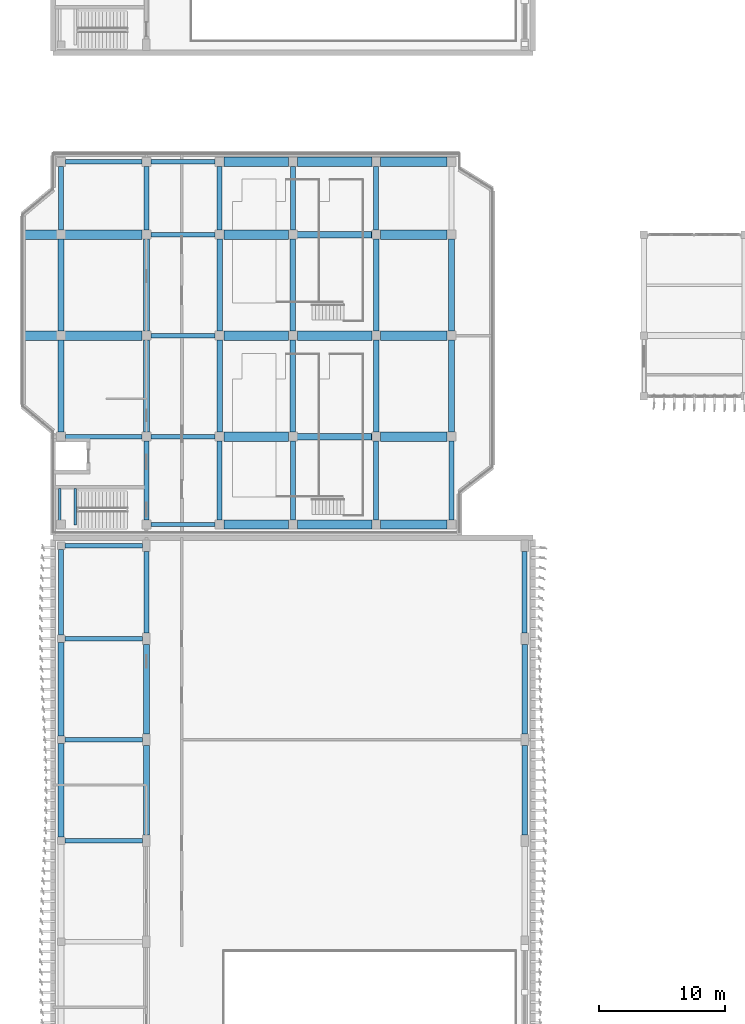
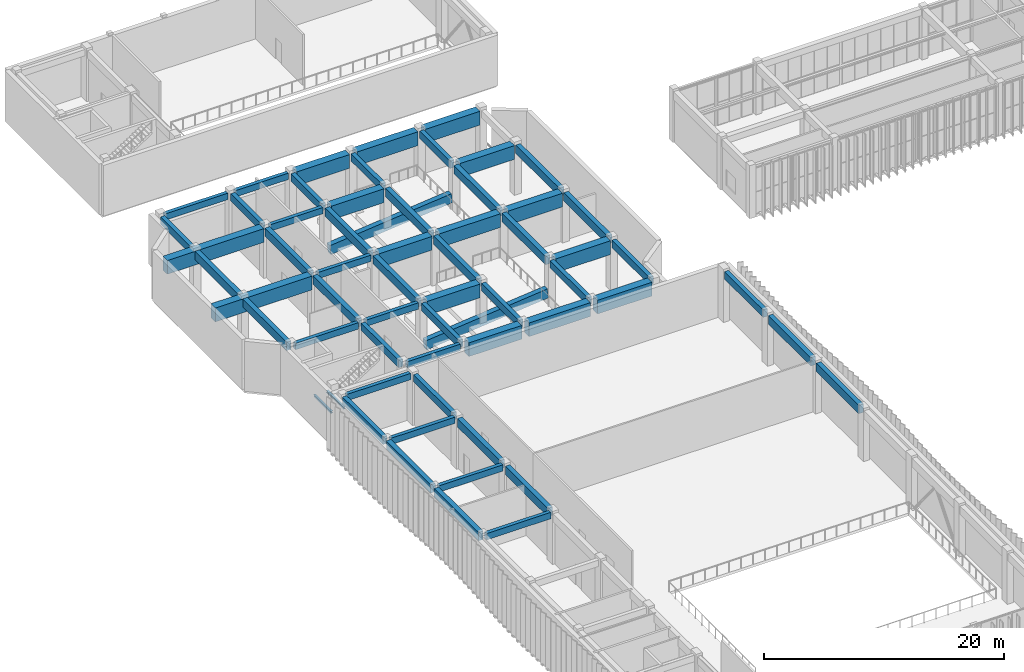
# One storey, part 8 of 64: 61 beams.
"""IFC4 building model written with IfcOpenShell, lengths in metres."""

from ifc_helpers import new_model, si_unit, direction, frame, origin, origin_2d, place, context, subcontext, project, spatial, rectangle, i_section, extrude, material, material_profile, profile_set, type_object, element, save


model = new_model("IFC4")

# Units and contexts
model_context = context("Model", 3, precision=1e-05, world=origin(), true_north=direction((0.0, 1.0)))
body_context = subcontext(model_context, "Body", "Model", "MODEL_VIEW")
ifc_project = project(units=[si_unit("LENGTHUNIT", "METRE"), si_unit("AREAUNIT", "SQUARE_METRE"), si_unit("VOLUMEUNIT", "CUBIC_METRE"), si_unit("PLANEANGLEUNIT", "RADIAN"), si_unit("MASSUNIT", "GRAM", prefix="KILO")], contexts=[model_context])

# Site, building, storey
site_placement = place(None, origin())
site = spatial("IfcSite", under=ifc_project, at=site_placement, CompositionType="ELEMENT")
building_placement = place(site_placement, origin())
building = spatial("IfcBuilding", under=site, at=building_placement, Name="Cinchona Park Media Centre", CompositionType="ELEMENT")
storey_placement = place(building_placement, frame((0.0, 0.0, 10.199951171875)))
storey = spatial("IfcBuildingStorey", under=building, at=storey_placement, Name="L02", CompositionType="ELEMENT", Elevation=10.199951171875)

# Beams
ifc_material_1 = material(Name="Concrete C35/45", Category="concrete")
ifc_material_profile_1 = material_profile(ifc_material_1, rectangle(XDim=0.39990234375, YDim=0.75, at=origin_2d()), Name="RB 400X750")
ifc_profile_set_1 = profile_set([ifc_material_profile_1], Name="Concrete C35/45")
beam_type_1 = type_object("IfcBeamType", Name="BEAM-B01-RB400X750", PredefinedType="BEAM", material=ifc_profile_set_1)
beam_1_placement = place(storey_placement, frame((8.639892578125, 55.89990234375, 4.78515625), z_axis=(0.0, 1.0, 0.0), x_axis=(-1.0, 0.0, 0.0)))
element("IfcBeam", 1, at=beam_1_placement, inside=storey, type_object=beam_type_1, Name="Girder B01 L02", PredefinedType="BEAM", context=body_context, shape_type="SweptSolid", body=[
    extrude(rectangle(XDim=0.39990234375, YDim=0.75, at=origin_2d()), origin(), (0.0, 0.0, 1.0), 6.760009765625),
])
for number, where, z_axis, x_axis, name in (
    (2, (15.39990234375, 56.050048828125, 4.78515625), (0.0, 1.0, 0.0), (-1.0, 0.0, 0.0), "Girder B01 L02"),
    (3, (45.360107421875, 56.050048828125, 4.78515625), (0.0, 1.0, 0.0), (-1.0, 0.0, 0.0), "Girder B01 L02"),
):
    element("IfcBeam", number, at=place(storey_placement, frame(where, z_axis=z_axis, x_axis=x_axis)), inside=storey, type_object=beam_type_1, Name=name, PredefinedType="BEAM", context=body_context, shape_type="SweptSolid", body=[
        extrude(rectangle(XDim=0.39990234375, YDim=0.75, at=origin_2d()), origin(), (0.0, 0.0, 1.0), 6.4599609375),
    ])
beam_2_placement = place(storey_placement, frame((8.639892578125, 87.949951171875, 4.72509765625), z_axis=(0.0, 1.0, 0.0), x_axis=(-1.0, 0.0, 0.0)))
element("IfcBeam", 4, at=beam_2_placement, inside=storey, type_object=beam_type_1, Name="Girder B01 L02", PredefinedType="BEAM", context=body_context, shape_type="SweptSolid", body=[
    extrude(rectangle(XDim=0.39990234375, YDim=0.75, at=origin_2d()), origin(), (0.0, 0.0, 1.0), 5.06005859375),
])
beam_3_placement = place(storey_placement, frame((15.39990234375, 64.989990234375, 4.72509765625), z_axis=(0.0, 1.0, 0.0), x_axis=(-1.0, 0.0, 0.0)))
element("IfcBeam", 5, at=beam_3_placement, inside=storey, type_object=beam_type_1, Name="Girder B01 L02", PredefinedType="BEAM", context=body_context, shape_type="SweptSolid", body=[
    extrude(rectangle(XDim=0.39990234375, YDim=0.75, at=origin_2d()), origin(), (0.0, 0.0, 1.0), 6.260009765625),
])
beam_4_placement = place(storey_placement, frame((15.39990234375, 87.949951171875, 4.72509765625), z_axis=(0.0, 1.0, 0.0), x_axis=(-1.0, 0.0, 0.0)))
element("IfcBeam", 6, at=beam_4_placement, inside=storey, type_object=beam_type_1, Name="Girder B01 L02", PredefinedType="BEAM", context=body_context, shape_type="SweptSolid", body=[
    extrude(rectangle(XDim=0.39990234375, YDim=0.75, at=origin_2d()), origin(), (0.0, 0.0, 1.0), 5.06005859375),
])
beam_5_placement = place(storey_placement, frame((21.199951171875, 64.989990234375, 4.72509765625), z_axis=(0.0, 1.0, 0.0), x_axis=(-1.0, 0.0, 0.0)))
element("IfcBeam", 7, at=beam_5_placement, inside=storey, type_object=beam_type_1, Name="Girder B01 L02", PredefinedType="BEAM", context=body_context, shape_type="SweptSolid", body=[
    extrude(rectangle(XDim=0.39990234375, YDim=0.75, at=origin_2d()), origin(), (0.0, 0.0, 1.0), 6.260009765625),
])
beam_6_placement = place(storey_placement, frame((21.199951171875, 87.949951171875, 4.72509765625), z_axis=(0.0, 1.0, 0.0), x_axis=(-1.0, 0.0, 0.0)))
element("IfcBeam", 8, at=beam_6_placement, inside=storey, type_object=beam_type_1, Name="Girder B01 L02", PredefinedType="BEAM", context=body_context, shape_type="SweptSolid", body=[
    extrude(rectangle(XDim=0.39990234375, YDim=0.75, at=origin_2d()), origin(), (0.0, 0.0, 1.0), 5.06005859375),
])
beam_7_placement = place(storey_placement, frame((27.0, 64.989990234375, 4.72509765625), z_axis=(0.0, 1.0, 0.0), x_axis=(-1.0, 0.0, 0.0)))
element("IfcBeam", 9, at=beam_7_placement, inside=storey, type_object=beam_type_1, Name="Girder B01 L02", PredefinedType="BEAM", context=body_context, shape_type="SweptSolid", body=[
    extrude(rectangle(XDim=0.39990234375, YDim=0.75, at=origin_2d()), origin(), (0.0, 0.0, 1.0), 6.260009765625),
])
beam_8_placement = place(storey_placement, frame((27.0, 87.949951171875, 4.72509765625), z_axis=(0.0, 1.0, 0.0), x_axis=(-1.0, 0.0, 0.0)))
element("IfcBeam", 10, at=beam_8_placement, inside=storey, type_object=beam_type_1, Name="Girder B01 L02", PredefinedType="BEAM", context=body_context, shape_type="SweptSolid", body=[
    extrude(rectangle(XDim=0.39990234375, YDim=0.75, at=origin_2d()), origin(), (0.0, 0.0, 1.0), 5.06005859375),
])
beam_9_placement = place(storey_placement, frame((33.60009765625, 64.989990234375, 4.72509765625), z_axis=(0.0, 1.0, 0.0), x_axis=(-1.0, 0.0, 0.0)))
element("IfcBeam", 11, at=beam_9_placement, inside=storey, type_object=beam_type_1, Name="Girder B01 L02", PredefinedType="BEAM", context=body_context, shape_type="SweptSolid", body=[
    extrude(rectangle(XDim=0.39990234375, YDim=0.75, at=origin_2d()), origin(), (0.0, 0.0, 1.0), 6.260009765625),
])
beam_10_placement = place(storey_placement, frame((33.60009765625, 87.949951171875, 4.72509765625), z_axis=(0.0, 1.0, 0.0), x_axis=(-1.0, 0.0, 0.0)))
element("IfcBeam", 12, at=beam_10_placement, inside=storey, type_object=beam_type_1, Name="Girder B01 L02", PredefinedType="BEAM", context=body_context, shape_type="SweptSolid", body=[
    extrude(rectangle(XDim=0.39990234375, YDim=0.75, at=origin_2d()), origin(), (0.0, 0.0, 1.0), 5.06005859375),
])
beam_11_placement = place(storey_placement, frame((39.56005859375, 64.989990234375, 4.72509765625), z_axis=(0.0, 1.0, 0.0), x_axis=(-1.0, 0.0, 0.0)))
element("IfcBeam", 13, at=beam_11_placement, inside=storey, type_object=beam_type_1, Name="Girder B01 L02", PredefinedType="BEAM", context=body_context, shape_type="SweptSolid", body=[
    extrude(rectangle(XDim=0.39990234375, YDim=0.75, at=origin_2d()), origin(), (0.0, 0.0, 1.0), 6.260009765625),
])
ifc_material_2 = material(Name="Concrete C35/45", Category="concrete")
ifc_material_profile_2 = material_profile(ifc_material_2, rectangle(XDim=0.449951171875, YDim=0.85009765625, at=origin_2d()), Name="RB 450X850")
ifc_profile_set_2 = profile_set([ifc_material_profile_2], Name="Concrete C35/45")
beam_type_2 = type_object("IfcBeamType", Name="BEAM-B02-RB450X850", PredefinedType="BEAM", material=ifc_profile_set_2)
for number, where, z_axis, x_axis, name in (
    (14, (8.639892578125, 39.89990234375, 4.735107421875), (0.0, 1.0, 0.0), (-1.0, 0.0, 0.0), "Girder B02 L02"),
    (15, (8.639892578125, 47.89990234375, 4.735107421875), (0.0, 1.0, 0.0), (-1.0, 0.0, 0.0), "Girder B02 L02"),
):
    element("IfcBeam", number, at=place(storey_placement, frame(where, z_axis=z_axis, x_axis=x_axis)), inside=storey, type_object=beam_type_2, Name=name, PredefinedType="BEAM", context=body_context, shape_type="SweptSolid", body=[
        extrude(rectangle(XDim=0.449951171875, YDim=0.85009765625, at=origin_2d()), origin(), (0.0, 0.0, 1.0), 7.400146484375),
    ])
for number, where, z_axis, x_axis, name in (
    (16, (15.39990234375, 40.050048828125, 4.735107421875), (0.0, 1.0, 0.0), (-1.0, 0.0, 0.0), "Girder B02 L02"),
    (17, (15.39990234375, 48.050048828125, 4.735107421875), (0.0, 1.0, 0.0), (-1.0, 0.0, 0.0), "Girder B02 L02"),
    (18, (45.360107421875, 40.050048828125, 4.735107421875), (0.0, 1.0, 0.0), (-1.0, 0.0, 0.0), "Girder B02 L02"),
    (19, (45.360107421875, 48.050048828125, 4.735107421875), (0.0, 1.0, 0.0), (-1.0, 0.0, 0.0), "Girder B02 L02"),
):
    element("IfcBeam", number, at=place(storey_placement, frame(where, z_axis=z_axis, x_axis=x_axis)), inside=storey, type_object=beam_type_2, Name=name, PredefinedType="BEAM", context=body_context, shape_type="SweptSolid", body=[
        extrude(rectangle(XDim=0.449951171875, YDim=0.85009765625, at=origin_2d()), origin(), (0.0, 0.0, 1.0), 7.099853515625),
    ])
for number, where, z_axis, x_axis, name in (
    (20, (8.639892578125, 71.949951171875, 4.675048828125), (0.0, 1.0, 0.0), (-1.0, 0.0, 0.0), "Girder B02 L02"),
    (21, (8.639892578125, 79.949951171875, 4.675048828125), (0.0, 1.0, 0.0), (-1.0, 0.0, 0.0), "Girder B02 L02"),
    (22, (15.39990234375, 71.949951171875, 4.675048828125), (0.0, 1.0, 0.0), (-1.0, 0.0, 0.0), "Girder B02 L02"),
    (23, (15.39990234375, 79.949951171875, 4.675048828125), (0.0, 1.0, 0.0), (-1.0, 0.0, 0.0), "Girder B02 L02"),
    (24, (21.199951171875, 71.949951171875, 4.675048828125), (0.0, 1.0, 0.0), (-1.0, 0.0, 0.0), "Girder B02 L02"),
    (25, (21.199951171875, 79.949951171875, 4.675048828125), (0.0, 1.0, 0.0), (-1.0, 0.0, 0.0), "Girder B02 L02"),
    (26, (27.0, 71.949951171875, 4.675048828125), (0.0, 1.0, 0.0), (-1.0, 0.0, 0.0), "Girder B02 L02"),
    (27, (27.0, 79.949951171875, 4.675048828125), (0.0, 1.0, 0.0), (-1.0, 0.0, 0.0), "Girder B02 L02"),
    (28, (33.60009765625, 71.949951171875, 4.675048828125), (0.0, 1.0, 0.0), (-1.0, 0.0, 0.0), "Girder B02 L02"),
    (29, (33.60009765625, 79.949951171875, 4.675048828125), (0.0, 1.0, 0.0), (-1.0, 0.0, 0.0), "Girder B02 L02"),
    (30, (39.56005859375, 71.949951171875, 4.675048828125), (0.0, 1.0, 0.0), (-1.0, 0.0, 0.0), "Girder B02 L02"),
    (31, (39.56005859375, 79.949951171875, 4.675048828125), (0.0, 1.0, 0.0), (-1.0, 0.0, 0.0), "Girder B02 L02"),
):
    element("IfcBeam", number, at=place(storey_placement, frame(where, z_axis=z_axis, x_axis=x_axis)), inside=storey, type_object=beam_type_2, Name=name, PredefinedType="BEAM", context=body_context, shape_type="SweptSolid", body=[
        extrude(rectangle(XDim=0.449951171875, YDim=0.85009765625, at=origin_2d()), origin(), (0.0, 0.0, 1.0), 7.300048828125),
    ])
ifc_material_3 = material(Name="Concrete C40/50", Category="concrete")
ifc_material_profile_3 = material_profile(ifc_material_3, rectangle(XDim=0.5, YDim=0.949951171875, at=origin_2d()), Name="RB 500X950")
ifc_profile_set_3 = profile_set([ifc_material_profile_3], Name="Concrete C40/50")
beam_type_3 = type_object("IfcBeamType", Name="BEAM-B03-RB500X950", PredefinedType="BEAM", material=ifc_profile_set_3)
for number, where, z_axis, x_axis, name in (
    (32, (21.5400390625, 71.60009765625, 0.550048828125), (0.994799489764, 0.0, 0.101852713096), (0.0, 1.0, 0.0), "RAKER Beam Repertory Cinema 4 4"),
    (33, (21.5400390625, 87.60009765625, 0.550048828125), (0.994799489764, 0.0, 0.101852713096), (0.0, 1.0, 0.0), "RAKER Beam Repertory Cinema 5 5"),
):
    element("IfcBeam", number, at=place(storey_placement, frame(where, z_axis=z_axis, x_axis=x_axis)), inside=storey, type_object=beam_type_3, Name=name, PredefinedType="BEAM", context=body_context, shape_type="SweptSolid", body=[
        extrude(rectangle(XDim=0.5, YDim=0.949951171875, at=origin_2d()), origin(), (0.0, 0.0, 1.0), 11.78125),
    ])
ifc_material_4 = material(Name="Concrete C35/45", Category="concrete")
ifc_material_profile_4 = material_profile(ifc_material_4, rectangle(XDim=0.35009765625, YDim=0.64990234375, at=origin_2d()), Name="RB 350X650")
ifc_profile_set_4 = profile_set([ifc_material_profile_4], Name="Concrete C35/45")
beam_type_4 = type_object("IfcBeamType", Name="BEAM-B04-RB350X650", PredefinedType="BEAM", material=ifc_profile_set_4)
for number, where, z_axis, x_axis, name in (
    (34, (8.93994140625, 39.60009765625, 4.8349609375), (1.0, 0.0, 0.0), (0.0, 1.0, 0.0), "Beam B04 L02"),
    (35, (8.93994140625, 47.60009765625, 4.8349609375), (1.0, 0.0, 0.0), (0.0, 1.0, 0.0), "Beam B04 L02"),
    (36, (8.93994140625, 55.60009765625, 4.8349609375), (1.0, 0.0, 0.0), (0.0, 1.0, 0.0), "Beam B04 L02"),
    (37, (8.93994140625, 62.9599609375, 4.8349609375), (1.0, 0.0, 0.0), (0.0, 1.0, 0.0), "Beam B04 L02"),
):
    element("IfcBeam", number, at=place(storey_placement, frame(where, z_axis=z_axis, x_axis=x_axis)), inside=storey, type_object=beam_type_4, Name=name, PredefinedType="BEAM", context=body_context, shape_type="SweptSolid", body=[
        extrude(rectangle(XDim=0.35009765625, YDim=0.64990234375, at=origin_2d()), origin(), (0.0, 0.0, 1.0), 6.16015625),
    ])
beam_12_placement = place(storey_placement, frame((15.75, 64.639892578125, 4.775146484375), z_axis=(1.0, 0.0, 0.0), x_axis=(0.0, 1.0, 0.0)))
element("IfcBeam", 38, at=beam_12_placement, inside=storey, type_object=beam_type_4, Name="Beam B04 L02", PredefinedType="BEAM", context=body_context, shape_type="SweptSolid", body=[
    extrude(rectangle(XDim=0.35009765625, YDim=0.64990234375, at=origin_2d()), origin(), (0.0, 0.0, 1.0), 5.10009765625),
])
beam_13_placement = place(storey_placement, frame((8.989990234375, 71.60009765625, 4.775146484375), z_axis=(1.0, 0.0, 0.0), x_axis=(0.0, 1.0, 0.0)))
element("IfcBeam", 39, at=beam_13_placement, inside=storey, type_object=beam_type_4, Name="Beam B04 L02", PredefinedType="BEAM", context=body_context, shape_type="SweptSolid", body=[
    extrude(rectangle(XDim=0.35009765625, YDim=0.64990234375, at=origin_2d()), origin(), (0.0, 0.0, 1.0), 6.06005859375),
])
for number, where, z_axis, x_axis, name in (
    (40, (15.75, 71.60009765625, 4.775146484375), (1.0, 0.0, 0.0), (0.0, 1.0, 0.0), "Beam B04 L02"),
    (41, (15.75, 79.60009765625, 4.775146484375), (1.0, 0.0, 0.0), (0.0, 1.0, 0.0), "Beam B04 L02"),
    (42, (15.75, 87.60009765625, 4.775146484375), (1.0, 0.0, 0.0), (0.0, 1.0, 0.0), "Beam B04 L02"),
):
    element("IfcBeam", number, at=place(storey_placement, frame(where, z_axis=z_axis, x_axis=x_axis)), inside=storey, type_object=beam_type_4, Name=name, PredefinedType="BEAM", context=body_context, shape_type="SweptSolid", body=[
        extrude(rectangle(XDim=0.35009765625, YDim=0.64990234375, at=origin_2d()), origin(), (0.0, 0.0, 1.0), 5.10009765625),
    ])
beam_14_placement = place(storey_placement, frame((8.989990234375, 93.360107421875, 4.775146484375), z_axis=(1.0, 0.0, 0.0), x_axis=(0.0, 1.0, 0.0)))
element("IfcBeam", 43, at=beam_14_placement, inside=storey, type_object=beam_type_4, Name="Beam B04 L02", PredefinedType="BEAM", context=body_context, shape_type="SweptSolid", body=[
    extrude(rectangle(XDim=0.35009765625, YDim=0.64990234375, at=origin_2d()), origin(), (0.0, 0.0, 1.0), 6.06005859375),
])
beam_15_placement = place(storey_placement, frame((15.75, 93.360107421875, 4.775146484375), z_axis=(1.0, 0.0, 0.0), x_axis=(0.0, 1.0, 0.0)))
element("IfcBeam", 44, at=beam_15_placement, inside=storey, type_object=beam_type_4, Name="Beam B04 L02", PredefinedType="BEAM", context=body_context, shape_type="SweptSolid", body=[
    extrude(rectangle(XDim=0.35009765625, YDim=0.64990234375, at=origin_2d()), origin(), (0.0, 0.0, 1.0), 5.10009765625),
])
ifc_material_5 = material(Name="Steel S355", Category="steel")
ifc_material_profile_5 = material_profile(ifc_material_5, i_section(OverallWidth=0.202880859375, OverallDepth=0.202880859375, WebThickness=0.007080078125, FlangeThickness=0.010986328125, at=origin_2d()), Name="W200X46")
ifc_profile_set_5 = profile_set([ifc_material_profile_5], Name="Steel S355")
beam_type_5 = type_object("IfcBeamType", Name="BEAM-B10-W200X46", PredefinedType="BEAM", material=ifc_profile_set_5)
for number, where, z_axis, x_axis, name in (
    (45, (8.5400390625, 67.47509765625, 2.3935546875), (0.0, -1.0, 0.0), (1.0, 0.0, 0.0), "Stair Landing Bearer Beam B10 ST3 L02"),
    (46, (9.760009765625, 67.47509765625, 2.3935546875), (0.0, -1.0, 0.0), (1.0, 0.0, 0.0), "Stair Landing Bearer Beam B10 ST3 L02"),
):
    element("IfcBeam", number, at=place(storey_placement, frame(where, z_axis=z_axis, x_axis=x_axis)), inside=storey, type_object=beam_type_5, Name=name, PredefinedType="BEAM", context=body_context, shape_type="SweptSolid", body=[
        extrude(i_section(OverallWidth=0.202880859375, OverallDepth=0.202880859375, WebThickness=0.007080078125, FlangeThickness=0.010986328125, at=origin_2d()), origin(), (0.0, 0.0, 1.0), 2.875),
    ])
ifc_material_6 = material(Name="Concrete C40/50", Category="concrete")
ifc_material_profile_6 = material_profile(ifc_material_6, rectangle(XDim=0.75, YDim=1.39990234375, at=origin_2d()), Name="RTG 750X1400")
ifc_profile_set_6 = profile_set([ifc_material_profile_6], Name="Concrete C40/50")
beam_type_6 = type_object("IfcBeamType", Name="BEAM-TG01-RTG750X1400", PredefinedType="USERDEFINED", material=ifc_profile_set_6)
beam_16_placement = place(storey_placement, frame((21.550048828125, 64.639892578125, 4.400146484375), z_axis=(1.0, 0.0, 0.0), x_axis=(0.0, 1.0, 0.0)))
element("IfcBeam", 47, at=beam_16_placement, inside=storey, type_object=beam_type_6, Name="Transfer Girder TG01 L02", ObjectType="TRANSFER GIRDER", PredefinedType="USERDEFINED", context=body_context, shape_type="SweptSolid", body=[
    extrude(rectangle(XDim=0.75, YDim=1.39990234375, at=origin_2d()), origin(), (0.0, 0.0, 1.0), 5.099853515625),
])
beam_17_placement = place(storey_placement, frame((27.35009765625, 64.639892578125, 4.400146484375), z_axis=(1.0, 0.0, 0.0), x_axis=(0.0, 1.0, 0.0)))
element("IfcBeam", 48, at=beam_17_placement, inside=storey, type_object=beam_type_6, Name="Transfer Girder TG01 L02", ObjectType="TRANSFER GIRDER", PredefinedType="USERDEFINED", context=body_context, shape_type="SweptSolid", body=[
    extrude(rectangle(XDim=0.75, YDim=1.39990234375, at=origin_2d()), origin(), (0.0, 0.0, 1.0), 5.89990234375),
])
beam_18_placement = place(storey_placement, frame((33.949951171875, 64.639892578125, 4.400146484375), z_axis=(1.0, 0.0, 0.0), x_axis=(0.0, 1.0, 0.0)))
element("IfcBeam", 49, at=beam_18_placement, inside=storey, type_object=beam_type_6, Name="Transfer Girder TG01 L02", ObjectType="TRANSFER GIRDER", PredefinedType="USERDEFINED", context=body_context, shape_type="SweptSolid", body=[
    extrude(rectangle(XDim=0.75, YDim=1.39990234375, at=origin_2d()), origin(), (0.0, 0.0, 1.0), 5.260009765625),
])
beam_19_placement = place(storey_placement, frame((21.550048828125, 71.60009765625, 4.400146484375), z_axis=(1.0, 0.0, 0.0), x_axis=(0.0, 1.0, 0.0)))
element("IfcBeam", 50, at=beam_19_placement, inside=storey, type_object=beam_type_6, Name="Transfer Girder TG01 L02", ObjectType="TRANSFER GIRDER", PredefinedType="USERDEFINED", context=body_context, shape_type="SweptSolid", body=[
    extrude(rectangle(XDim=0.75, YDim=1.39990234375, at=origin_2d()), origin(), (0.0, 0.0, 1.0), 5.099853515625),
])
beam_20_placement = place(storey_placement, frame((33.949951171875, 71.60009765625, 4.400146484375), z_axis=(1.0, 0.0, 0.0), x_axis=(0.0, 1.0, 0.0)))
element("IfcBeam", 51, at=beam_20_placement, inside=storey, type_object=beam_type_6, Name="Transfer Girder TG01 L02", ObjectType="TRANSFER GIRDER", PredefinedType="USERDEFINED", context=body_context, shape_type="SweptSolid", body=[
    extrude(rectangle(XDim=0.75, YDim=1.39990234375, at=origin_2d()), origin(), (0.0, 0.0, 1.0), 5.260009765625),
])
beam_21_placement = place(storey_placement, frame((21.550048828125, 79.60009765625, 4.400146484375), z_axis=(1.0, 0.0, 0.0), x_axis=(0.0, 1.0, 0.0)))
element("IfcBeam", 52, at=beam_21_placement, inside=storey, type_object=beam_type_6, Name="Transfer Girder TG01 L02", ObjectType="TRANSFER GIRDER", PredefinedType="USERDEFINED", context=body_context, shape_type="SweptSolid", body=[
    extrude(rectangle(XDim=0.75, YDim=1.39990234375, at=origin_2d()), origin(), (0.0, 0.0, 1.0), 5.099853515625),
])
beam_22_placement = place(storey_placement, frame((27.35009765625, 79.60009765625, 4.400146484375), z_axis=(1.0, 0.0, 0.0), x_axis=(0.0, 1.0, 0.0)))
element("IfcBeam", 53, at=beam_22_placement, inside=storey, type_object=beam_type_6, Name="Transfer Girder TG01 L02", ObjectType="TRANSFER GIRDER", PredefinedType="USERDEFINED", context=body_context, shape_type="SweptSolid", body=[
    extrude(rectangle(XDim=0.75, YDim=1.39990234375, at=origin_2d()), origin(), (0.0, 0.0, 1.0), 5.89990234375),
])
beam_23_placement = place(storey_placement, frame((33.949951171875, 79.60009765625, 4.400146484375), z_axis=(1.0, 0.0, 0.0), x_axis=(0.0, 1.0, 0.0)))
element("IfcBeam", 54, at=beam_23_placement, inside=storey, type_object=beam_type_6, Name="Transfer Girder TG01 L02", ObjectType="TRANSFER GIRDER", PredefinedType="USERDEFINED", context=body_context, shape_type="SweptSolid", body=[
    extrude(rectangle(XDim=0.75, YDim=1.39990234375, at=origin_2d()), origin(), (0.0, 0.0, 1.0), 5.260009765625),
])
beam_24_placement = place(storey_placement, frame((21.550048828125, 87.60009765625, 4.400146484375), z_axis=(1.0, 0.0, 0.0), x_axis=(0.0, 1.0, 0.0)))
element("IfcBeam", 55, at=beam_24_placement, inside=storey, type_object=beam_type_6, Name="Transfer Girder TG01 L02", ObjectType="TRANSFER GIRDER", PredefinedType="USERDEFINED", context=body_context, shape_type="SweptSolid", body=[
    extrude(rectangle(XDim=0.75, YDim=1.39990234375, at=origin_2d()), origin(), (0.0, 0.0, 1.0), 5.099853515625),
])
beam_25_placement = place(storey_placement, frame((33.949951171875, 87.60009765625, 4.400146484375), z_axis=(1.0, 0.0, 0.0), x_axis=(0.0, 1.0, 0.0)))
element("IfcBeam", 56, at=beam_25_placement, inside=storey, type_object=beam_type_6, Name="Transfer Girder TG01 L02", ObjectType="TRANSFER GIRDER", PredefinedType="USERDEFINED", context=body_context, shape_type="SweptSolid", body=[
    extrude(rectangle(XDim=0.75, YDim=1.39990234375, at=origin_2d()), origin(), (0.0, 0.0, 1.0), 5.260009765625),
])
beam_26_placement = place(storey_placement, frame((21.550048828125, 93.360107421875, 4.400146484375), z_axis=(1.0, 0.0, 0.0), x_axis=(0.0, 1.0, 0.0)))
element("IfcBeam", 57, at=beam_26_placement, inside=storey, type_object=beam_type_6, Name="Transfer Girder TG01 L02", ObjectType="TRANSFER GIRDER", PredefinedType="USERDEFINED", context=body_context, shape_type="SweptSolid", body=[
    extrude(rectangle(XDim=0.75, YDim=1.39990234375, at=origin_2d()), origin(), (0.0, 0.0, 1.0), 5.099853515625),
])
beam_27_placement = place(storey_placement, frame((27.35009765625, 93.360107421875, 4.400146484375), z_axis=(1.0, 0.0, 0.0), x_axis=(0.0, 1.0, 0.0)))
element("IfcBeam", 58, at=beam_27_placement, inside=storey, type_object=beam_type_6, Name="Transfer Girder TG01 L02", ObjectType="TRANSFER GIRDER", PredefinedType="USERDEFINED", context=body_context, shape_type="SweptSolid", body=[
    extrude(rectangle(XDim=0.75, YDim=1.39990234375, at=origin_2d()), origin(), (0.0, 0.0, 1.0), 5.89990234375),
])
beam_28_placement = place(storey_placement, frame((33.949951171875, 93.360107421875, 4.400146484375), z_axis=(1.0, 0.0, 0.0), x_axis=(0.0, 1.0, 0.0)))
element("IfcBeam", 59, at=beam_28_placement, inside=storey, type_object=beam_type_6, Name="Transfer Girder TG01 L02", ObjectType="TRANSFER GIRDER", PredefinedType="USERDEFINED", context=body_context, shape_type="SweptSolid", body=[
    extrude(rectangle(XDim=0.75, YDim=1.39990234375, at=origin_2d()), origin(), (0.0, 0.0, 1.0), 5.260009765625),
])
for number, where, z_axis, x_axis, name in (
    (60, (5.75, 79.60009765625, 4.400146484375), (1.0, 0.0, 0.0), (0.0, 1.0, 0.0), "Cantilever Auditorium Transfer Girder TG01 L02"),
    (61, (5.75, 87.60009765625, 4.400146484375), (1.0, 0.0, 0.0), (0.0, 1.0, 0.0), "Cantilever Auditorium Transfer Girder TG01 L02"),
):
    element("IfcBeam", number, at=place(storey_placement, frame(where, z_axis=z_axis, x_axis=x_axis)), inside=storey, type_object=beam_type_6, Name=name, ObjectType="TRANSFER GIRDER", PredefinedType="USERDEFINED", context=body_context, shape_type="SweptSolid", body=[
        extrude(rectangle(XDim=0.75, YDim=1.39990234375, at=origin_2d()), origin(), (0.0, 0.0, 1.0), 9.300048828125),
    ])

save(model, "model.ifc")
